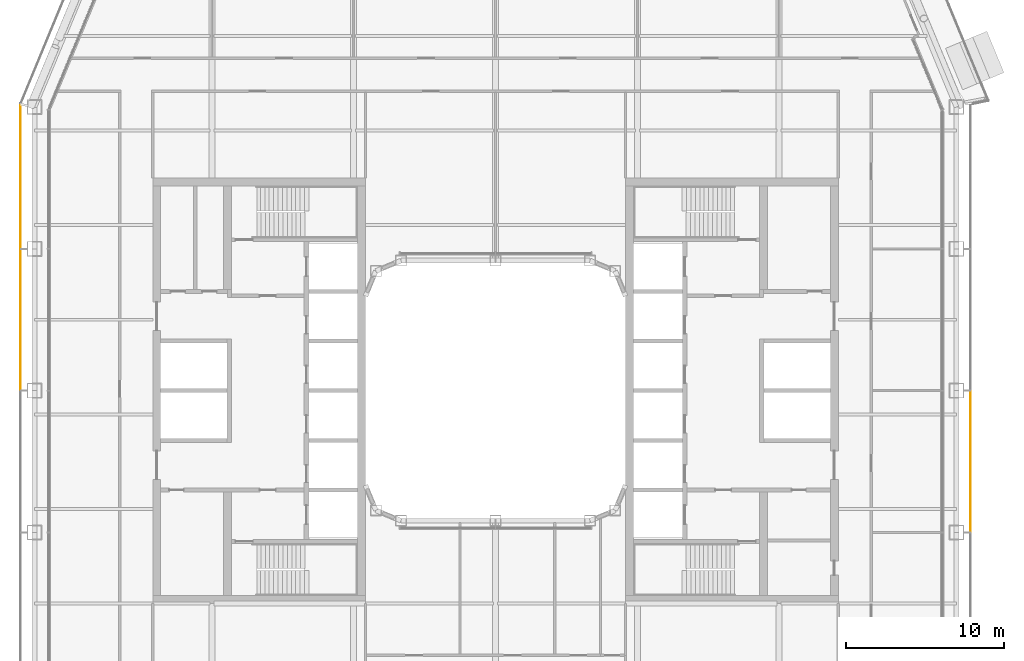
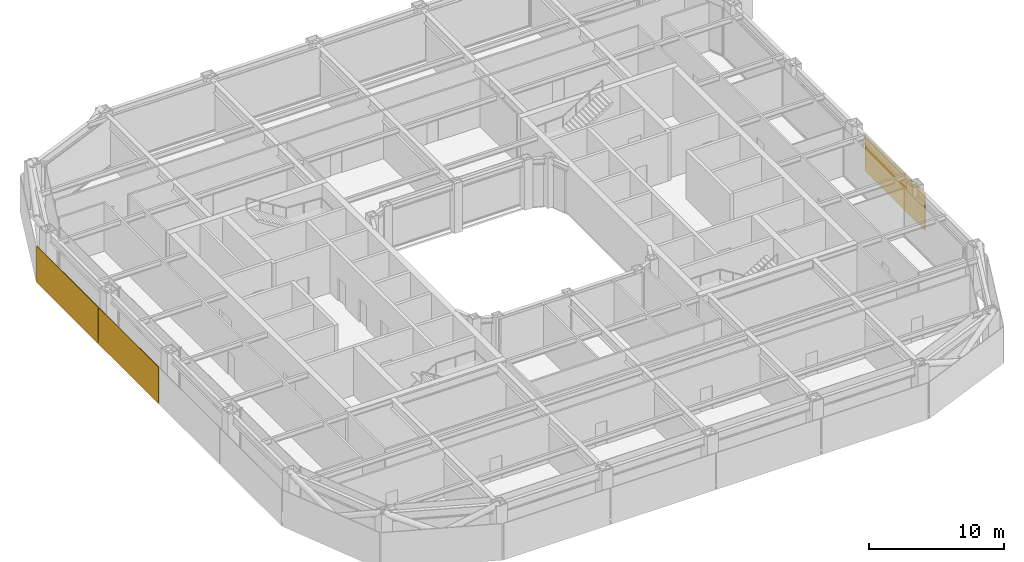
# One storey, part 20 of 23: 3 coverings.
"""IFC4 building model written with IfcOpenShell, lengths in metres."""

import ifcopenshell
import ifcopenshell.guid

model = None  # the IFC model being written
_history = None  # IfcOwnerHistory: only IFC2X3 demands one
_inside = {}  # id of a spatial element -> (the spatial element, [elements in it])
_under = {}  # id of a project, library or spatial element -> (it, [spatial elements below it])
_declared = {}  # id of a project -> (the project, [libraries it declares])
_typed = {}  # id of a type object -> (the type object, [elements of that type])
_made_of = {}  # id of a material, layer set ... -> (it, [elements and type objects made of it])


def new_model(schema):
    """Start an empty IFC model of exactly this schema.

    Asked for "IFC4X3", IfcOpenShell would pick the latest addendum, in which some entities
    have other attributes; the version numbers below select the first issue.
    IFC2X3 requires an IfcOwnerHistory on every rooted entity: one is made here for all.
    """
    global model, _history
    if schema == "IFC4X3":
        model = ifcopenshell.file(schema_version=(4, 3, 0, 0))
    else:
        model = ifcopenshell.file(schema=schema)
    _inside.clear()
    _under.clear()
    _declared.clear()
    _typed.clear()
    _made_of.clear()
    _history = None
    if model.schema == "IFC2X3":
        org = make("IfcOrganization", Name="unknown")
        user = make(
            "IfcPersonAndOrganization",
            ThePerson=make("IfcPerson", FamilyName="unknown"),
            TheOrganization=org,
        )
        app = make(
            "IfcApplication",
            ApplicationDeveloper=org,
            Version="unknown",
            ApplicationFullName="unknown",
            ApplicationIdentifier="unknown",
        )
        _history = make(
            "IfcOwnerHistory",
            OwningUser=user,
            OwningApplication=app,
            ChangeAction="ADDED",
            CreationDate=0,
        )
    return model


def make(cls, **values):
    """One entity of the class cls with the attributes given. An attribute that is None is left unset."""
    return model.create_entity(
        cls, **{name: value for name, value in values.items() if value is not None}
    )


def rooted(cls, **values):
    """An entity with a GlobalId (a new one), such as an element, a storey or a relation."""
    return make(cls, GlobalId=ifcopenshell.guid.new(), OwnerHistory=_history, **values)


def si_unit(unit_type, name, prefix=None):
    """IfcSIUnit, for example si_unit("LENGTHUNIT", "METRE", prefix="MILLI")."""
    return make("IfcSIUnit", UnitType=unit_type, Prefix=prefix, Name=name)


def assignment(units):
    """IfcUnitAssignment: the units of a project."""
    return None if units is None else make("IfcUnitAssignment", Units=units)


def point(xyz):
    """IfcCartesianPoint."""
    return None if xyz is None else make("IfcCartesianPoint", Coordinates=xyz)


def direction(xyz):
    """IfcDirection."""
    return None if xyz is None else make("IfcDirection", DirectionRatios=xyz)


def frame(location, z_axis=None, x_axis=None):
    """IfcAxis2Placement3D, a coordinate frame: its origin and axes. An axis left out is left unset."""
    return make(
        "IfcAxis2Placement3D",
        Location=point(location),
        Axis=direction(z_axis),
        RefDirection=direction(x_axis),
    )


def frame_2d(location, x_axis=None):
    """IfcAxis2Placement2D, a coordinate frame in the plane: its origin and x axis."""
    return make(
        "IfcAxis2Placement2D", Location=point(location), RefDirection=direction(x_axis)
    )


def origin():
    """The frame at (0, 0, 0) with its axes left unset."""
    return frame((0.0, 0.0, 0.0))


def origin_2d():
    """The frame at (0, 0) in the plane with its x axis left unset."""
    return frame_2d((0.0, 0.0))


def place(relative_to, where):
    """IfcLocalPlacement: puts the frame where relative to a parent placement (None: the world)."""
    return make(
        "IfcLocalPlacement", PlacementRelTo=relative_to, RelativePlacement=where
    )


def context(
    kind, dimensions, precision=None, world=None, true_north=None, identifier=None
):
    """IfcGeometricRepresentationContext, for example the 3D "Model" context."""
    return make(
        "IfcGeometricRepresentationContext",
        ContextIdentifier=identifier,
        ContextType=kind,
        CoordinateSpaceDimension=dimensions,
        Precision=precision,
        WorldCoordinateSystem=world,
        TrueNorth=true_north,
    )


def subcontext(parent, identifier, kind, view, scale=None):
    """IfcGeometricRepresentationSubContext, for example "Body" below "Model"."""
    return make(
        "IfcGeometricRepresentationSubContext",
        ContextIdentifier=identifier,
        ContextType=kind,
        ParentContext=parent,
        TargetScale=scale,
        TargetView=view,
    )


def project(units=None, contexts=None):
    """IfcProject with its units and contexts."""
    return rooted(
        "IfcProject",
        Name="project",
        RepresentationContexts=contexts,
        UnitsInContext=assignment(units),
    )


def spatial(cls, under=None, at=None, **own):
    """A site, building, storey or space (cls), placed at a placement, below another one or the project."""
    s = rooted(cls, ObjectPlacement=at, **own)
    if under is not None:
        _under.setdefault(under.id(), (under, []))[1].append(s)
    return s


def profile(cls, at=None, kind="AREA", **sizes):
    """A parametric profile (cls). Its sizes go by their IFC names, for example OverallWidth=200.0."""
    return make(cls, ProfileType=kind, Position=at, **sizes)


def rectangle(**sizes):
    """IfcRectangleProfileDef."""
    return profile("IfcRectangleProfileDef", **sizes)


def extrude(swept, where, along, depth):
    """IfcExtrudedAreaSolid: the profile swept, set in the frame where, extruded along a direction by depth."""
    return make(
        "IfcExtrudedAreaSolid",
        SweptArea=swept,
        Position=where,
        ExtrudedDirection=direction(along),
        Depth=depth,
    )


def shape(context_of_items, identifier, shape_type, items):
    """IfcShapeRepresentation: the items that make up one representation, for example the "Body"."""
    return make(
        "IfcShapeRepresentation",
        ContextOfItems=context_of_items,
        RepresentationIdentifier=identifier,
        RepresentationType=shape_type,
        Items=items,
    )


def material(Name=None, Category=None):
    """IfcMaterial."""
    return make("IfcMaterial", Name=Name, Category=Category)


def layer(
    of_material, thickness, ventilated=None, Name=None, Category=None, Priority=None
):
    """IfcMaterialLayer: one layer of a wall or slab, of a material (None: an air gap)."""
    return make(
        "IfcMaterialLayer",
        Material=of_material,
        LayerThickness=thickness,
        IsVentilated=ventilated,
        Name=Name,
        Category=Category,
        Priority=Priority,
    )


def layer_set(layers, Name=None):
    """IfcMaterialLayerSet."""
    return make("IfcMaterialLayerSet", MaterialLayers=layers, LayerSetName=Name)


def made_of(thing, what):
    """Note that an element or type object is made of a material, layer set ...; save() writes the relation."""
    if what is not None:
        _made_of.setdefault(what.id(), (what, []))[1].append(thing)
    return thing


def type_object(cls, material=None, **own):
    """A type object (cls), such as IfcWallType, which elements share."""
    return made_of(rooted(cls, **own), material)


def element(
    cls,
    number,
    at=None,
    inside=None,
    cuts=None,
    type_object=None,
    material=None,
    context=None,
    identifier="Body",
    shape_type=None,
    held_by="IfcProductDefinitionShape",
    body=None,
    shapes=None,
    **own,
):
    """One element of the class cls, such as IfcWall. Its Tag is "e" and its number.

    at: its placement. inside: the storey or other place that contains it. cuts: it is an
    opening in that element (IfcRelVoidsElement). A single representation is given by context,
    identifier, shape_type and body (its items); several are given by shapes. held_by: the class
    of the entity that holds the representations. save() writes the other relations.
    """
    e = rooted(cls, Tag="e%d" % number, ObjectPlacement=at, **own)
    if body is not None:
        shapes = [shape(context, identifier, shape_type, body)]
    if shapes is not None:
        e.Representation = make(held_by, Representations=shapes)
    if inside is not None:
        _inside.setdefault(inside.id(), (inside, []))[1].append(e)
    if cuts is not None:
        rooted(
            "IfcRelVoidsElement", RelatingBuildingElement=cuts, RelatedOpeningElement=e
        )
    if type_object is not None:
        _typed.setdefault(type_object.id(), (type_object, []))[1].append(e)
    return made_of(e, material)


def aggregate(whole, parts):
    """IfcRelAggregates: a whole, such as a stair, and the parts it consists of."""
    return rooted("IfcRelAggregates", RelatingObject=whole, RelatedObjects=parts)


def save(model, path):
    """Write the relations noted so far, then the file.

    IfcRelAggregates (storeys below a building ...), IfcRelContainedInSpatialStructure (elements
    in a storey), IfcRelDefinesByType, IfcRelAssociatesMaterial and IfcRelDeclares: one each for
    every whole, place, type object, material and project.
    """
    for whole, parts in _under.values():
        aggregate(whole, parts)
    for where, things in _inside.values():
        rooted(
            "IfcRelContainedInSpatialStructure",
            RelatedElements=things,
            RelatingStructure=where,
        )
    for kind, things in _typed.values():
        rooted("IfcRelDefinesByType", RelatedObjects=things, RelatingType=kind)
    for what, things in _made_of.values():
        rooted("IfcRelAssociatesMaterial", RelatedObjects=things, RelatingMaterial=what)
    for by, libraries in _declared.values():
        rooted("IfcRelDeclares", RelatingContext=by, RelatedDefinitions=libraries)
    model.write(path)


model = new_model("IFC4")

# Units and contexts
model_context = context("Model", 3, precision=1e-05, world=origin(), true_north=direction((0.0, 1.0)))
body_context = subcontext(model_context, "Body", "Model", "MODEL_VIEW")
ifc_project = project(units=[si_unit("LENGTHUNIT", "METRE"), si_unit("AREAUNIT", "SQUARE_METRE"), si_unit("VOLUMEUNIT", "CUBIC_METRE"), si_unit("PLANEANGLEUNIT", "RADIAN"), si_unit("MASSUNIT", "GRAM", prefix="KILO")], contexts=[model_context])

# Site, building, storey
site_placement = place(None, origin())
site = spatial("IfcSite", under=ifc_project, at=site_placement, CompositionType="ELEMENT")
building_placement = place(site_placement, origin())
building = spatial("IfcBuilding", under=site, at=building_placement, Name="Siwar Civic Tower", CompositionType="ELEMENT")
storey_placement = place(building_placement, frame((0.0, 0.0, 131.699951171875)))
storey = spatial("IfcBuildingStorey", under=building, at=storey_placement, Name="L28", CompositionType="ELEMENT", Elevation=131.699951171875)

# Coverings
ifc_material_1 = material(Name="Perforated aluminium cassette, pale metal", Category="aluminium")
ifc_layer_1 = layer(ifc_material_1, 0.0400390625)
ifc_layer_set_1 = layer_set([ifc_layer_1], Name="Perforated aluminium cassette, pale metal")
covering_type_1 = type_object("IfcCoveringType", Name="ENV-OUTER SKIN OS-1", PredefinedType="CLADDING", material=ifc_layer_set_1)
covering_1_placement = place(storey_placement, frame((30.14990234375, -4.5, -0.14990234375), z_axis=(0.0, 0.0, 1.0), x_axis=(0.0, 1.0, 0.0)))
element("IfcCovering", 1, at=covering_1_placement, inside=storey, type_object=covering_type_1, Name="OUTER SKIN OS-1 E 2", PredefinedType="CLADDING", context=body_context, shape_type="SweptSolid", body=[
    extrude(rectangle(XDim=8.89990234375, YDim=0.0400390625, at=origin_2d()), origin(), (0.0, 0.0, 1.0), 3.300048828125),
])
ifc_material_2 = material(Name="Perforated aluminium cassette, pale metal", Category="aluminium")
ifc_layer_2 = layer(ifc_material_2, 0.050048828125)
ifc_layer_set_2 = layer_set([ifc_layer_2], Name="Perforated aluminium cassette, pale metal")
covering_type_2 = type_object("IfcCoveringType", Name="ENV-OUTER SKIN OS-3", PredefinedType="CLADDING", material=ifc_layer_set_2)
covering_2_placement = place(storey_placement, frame((-30.14990234375, 13.57958984375, -0.14990234375), z_axis=(0.0, 0.0, 1.0), x_axis=(0.0, -1.0, 0.0)))
element("IfcCovering", 2, at=covering_2_placement, inside=storey, type_object=covering_type_2, Name="OUTER SKIN OS-3 W 1", PredefinedType="CLADDING", context=body_context, shape_type="SweptSolid", body=[
    extrude(rectangle(XDim=9.05908203125, YDim=0.050048828125, at=origin_2d()), origin(), (0.0, 0.0, 1.0), 3.300048828125),
])
covering_3_placement = place(storey_placement, frame((-30.14990234375, 4.5, -0.14990234375), z_axis=(0.0, 0.0, 1.0), x_axis=(0.0, -1.0, 0.0)))
element("IfcCovering", 3, at=covering_3_placement, inside=storey, type_object=covering_type_2, Name="OUTER SKIN OS-3 W 2", PredefinedType="CLADDING", context=body_context, shape_type="SweptSolid", body=[
    extrude(rectangle(XDim=8.89990234375, YDim=0.050048828125, at=origin_2d()), origin(), (0.0, 0.0, 1.0), 3.300048828125),
])

save(model, "model.ifc")
